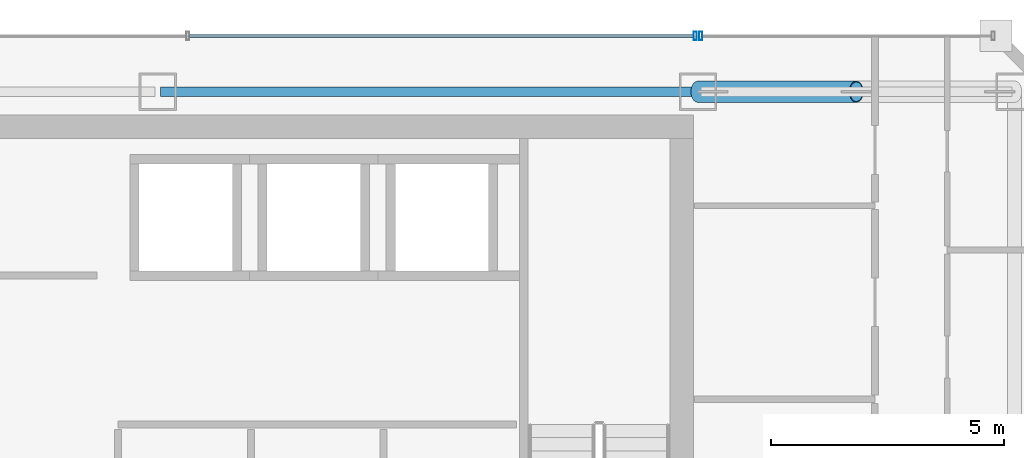
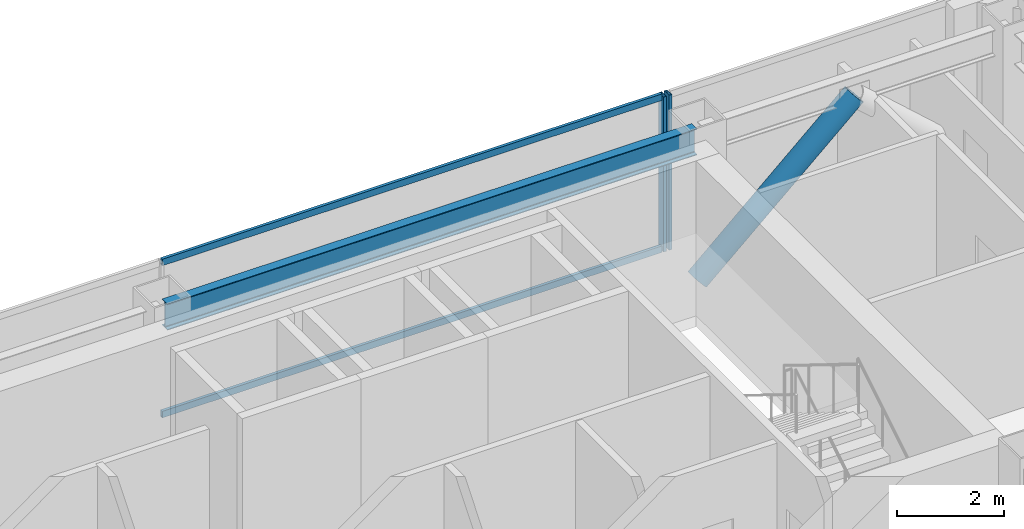
# One storey, part 26 of 36: 5 members, 1 beam, 2 elements without a shape of their own.
"""IFC4 building model written with IfcOpenShell, lengths in metres."""

from ifc_helpers import new_model, si_unit, direction, frame, origin, origin_2d, place, context, subcontext, project, spatial, hollow_rectangle, hollow_circle, i_section, extrude, material, material_profile, profile_set, type_object, element, aggregate, save


model = new_model("IFC4")

# Units and contexts
model_context = context("Model", 3, precision=1e-05, world=origin(), true_north=direction((0.0, 1.0)))
body_context = subcontext(model_context, "Body", "Model", "MODEL_VIEW")
ifc_project = project(units=[si_unit("LENGTHUNIT", "METRE"), si_unit("AREAUNIT", "SQUARE_METRE"), si_unit("VOLUMEUNIT", "CUBIC_METRE"), si_unit("PLANEANGLEUNIT", "RADIAN"), si_unit("MASSUNIT", "GRAM", prefix="KILO")], contexts=[model_context])

# Site, building, storey
site_placement = place(None, origin())
site = spatial("IfcSite", under=ifc_project, at=site_placement, CompositionType="ELEMENT")
building_placement = place(site_placement, origin())
building = spatial("IfcBuilding", under=site, at=building_placement, Name="Saevonmaru Cultural Tower", CompositionType="ELEMENT")
storey_placement = place(building_placement, frame((0.0, 0.0, 205.60009765625)))
storey = spatial("IfcBuildingStorey", under=building, at=storey_placement, Name="L47", CompositionType="ELEMENT", Elevation=205.60009765625)

# Beam
ifc_material_1 = material(Name="Steel SM355", Category="steel")
ifc_material_profile_1 = material_profile(ifc_material_1, i_section(OverallWidth=0.199951171875, OverallDepth=0.60009765625, WebThickness=0.010986328125, FlangeThickness=0.01708984375, FilletRadius=0.02197265625, at=origin_2d()), Name="H-600x200x11x17")
ifc_profile_set_1 = profile_set([ifc_material_profile_1], Name="Steel SM355")
beam_type = type_object("IfcBeamType", Name="BM-SP-H600", PredefinedType="SPANDREL", material=ifc_profile_set_1)
beam_placement = place(storey_placement, frame((34.860107421875, 54.800048828125, 3.25), z_axis=(1.0, 0.0, 0.0), x_axis=(0.0, 1.0, 0.0)))
element("IfcBeam", 1, at=beam_placement, inside=storey, type_object=beam_type, Name="L47 North Spine Girder 4", PredefinedType="SPANDREL", context=body_context, shape_type="SweptSolid", body=[
    extrude(i_section(OverallWidth=0.199951171875, OverallDepth=0.60009765625, WebThickness=0.010986328125, FlangeThickness=0.01708984375, FilletRadius=0.02197265625, at=origin_2d()), origin(), (0.0, 0.0, 1.0), 11.47998046875),
])

# Member
ifc_material_2 = material(Name="Steel SM420", Category="steel")
ifc_material_profile_2 = material_profile(ifc_material_2, hollow_circle(Radius=0.228515625, WallThickness=0.02001953125, at=origin_2d()), Name="CHS-457.2x20")
ifc_profile_set_2 = profile_set([ifc_material_profile_2], Name="Steel SM420")
member_type_1 = type_object("IfcMemberType", Name="MB-PBR-CHS457", PredefinedType="BRACE", material=ifc_profile_set_2)
member_1_placement = place(storey_placement, frame((46.39990234375, 54.800048828125, 0.02001953125), z_axis=(0.744417347397, 0.0, 0.66771461935), x_axis=(0.0, 1.0, 0.0)))
element("IfcMember", 2, at=member_1_placement, inside=storey, type_object=member_type_1, Name="L47 Perimeter Braced-Tube Diagonal EN1", PredefinedType="BRACE", context=body_context, shape_type="SweptSolid", body=[
    extrude(hollow_circle(Radius=0.228515625, WallThickness=0.02001953125, at=origin_2d()), origin(), (0.0, 0.0, 1.0), 4.567626953125),
])

# Curtain wall, member
ifc_material_3 = material(Name="Satin Bronze Anodised Aluminium", Category="aluminium")
curtain_wall_type = type_object("IfcCurtainWallType", Name="CW-TYP-B", PredefinedType="NOTDEFINED", material=ifc_material_3)
curtain_wall_1_placement = place(storey_placement, origin())
curtain_wall_1 = element("IfcCurtainWall", 3, at=curtain_wall_1_placement, inside=storey, type_object=curtain_wall_type, Name="L47 East Braced Bay Spandrel Curtain Wall E10A", PredefinedType="NOTDEFINED")
ifc_material_profile_3 = material_profile(ifc_material_3, hollow_rectangle(XDim=0.06494140625, YDim=0.179931640625, WallThickness=0.00390625, at=origin_2d()), Name="ALU-MULL-180x65x4")
ifc_profile_set_3 = profile_set([ifc_material_profile_3], Name="Satin Bronze Anodised Aluminium")
member_type_2 = type_object("IfcMemberType", Name="ML-CW-180x65", PredefinedType="MULLION", material=ifc_profile_set_3)
member_2_placement = place(storey_placement, frame((46.4599609375, 56.0, 0.0), z_axis=(0.0, 0.0, 1.0), x_axis=(-1.0, 0.0, 0.0)))
member_2 = element("IfcMember", 4, at=member_2_placement, type_object=member_type_2, Name="CW-TW-L47-E10A mullion 2", PredefinedType="MULLION", context=body_context, shape_type="SweptSolid", body=[
    extrude(hollow_rectangle(XDim=0.06494140625, YDim=0.179931640625, WallThickness=0.00390625, at=origin_2d()), origin(), (0.0, 0.0, 1.0), 3.5498046875),
])
aggregate(curtain_wall_1, [member_2])

# Curtain wall, members
curtain_wall_2_placement = place(storey_placement, origin())
curtain_wall_2 = element("IfcCurtainWall", 5, at=curtain_wall_2_placement, inside=storey, type_object=curtain_wall_type, Name="L47 North Spine Unitised Curtain Wall E10B", PredefinedType="NOTDEFINED")
member_3_placement = place(storey_placement, frame((46.340087890625, 56.0, 0.0), z_axis=(0.0, 0.0, 1.0), x_axis=(-1.0, 0.0, 0.0)))
member_3 = element("IfcMember", 6, at=member_3_placement, type_object=member_type_2, Name="CW-TW-L47-E10B mullion 1", PredefinedType="MULLION", context=body_context, shape_type="SweptSolid", body=[
    extrude(hollow_rectangle(XDim=0.06494140625, YDim=0.179931640625, WallThickness=0.00390625, at=origin_2d()), origin(), (0.0, 0.0, 1.0), 3.5498046875),
])
ifc_material_profile_4 = material_profile(ifc_material_3, hollow_rectangle(XDim=0.06494140625, YDim=0.14990234375, WallThickness=0.00390625, at=origin_2d()), Name="ALU-TRAN-150x65x4")
ifc_profile_set_4 = profile_set([ifc_material_profile_4], Name="Satin Bronze Anodised Aluminium")
member_type_3 = type_object("IfcMemberType", Name="TR-CW-150x65", PredefinedType="USERDEFINED", material=ifc_profile_set_4)
member_4_placement = place(storey_placement, frame((46.3076171875, 56.0, 0.032470703125), z_axis=(-1.0, 0.0, 0.0), x_axis=(0.0, -1.0, 0.0)))
member_4 = element("IfcMember", 7, at=member_4_placement, type_object=member_type_3, Name="CW-TW-L47-E10B transom 1.1", ObjectType="TRANSOM", PredefinedType="USERDEFINED", context=body_context, shape_type="SweptSolid", body=[
    extrude(hollow_rectangle(XDim=0.06494140625, YDim=0.14990234375, WallThickness=0.00390625, at=origin_2d()), origin(), (0.0, 0.0, 1.0), 10.828369140625),
])
member_5_placement = place(storey_placement, frame((46.3076171875, 56.0, 3.517333984375), z_axis=(-1.0, 0.0, 0.0), x_axis=(0.0, -1.0, 0.0)))
member_5 = element("IfcMember", 8, at=member_5_placement, type_object=member_type_3, Name="CW-TW-L47-E10B transom 1.2", ObjectType="TRANSOM", PredefinedType="USERDEFINED", context=body_context, shape_type="SweptSolid", body=[
    extrude(hollow_rectangle(XDim=0.06494140625, YDim=0.14990234375, WallThickness=0.00390625, at=origin_2d()), origin(), (0.0, 0.0, 1.0), 10.828369140625),
])
aggregate(curtain_wall_2, [member_3, member_4, member_5])

save(model, "model.ifc")
